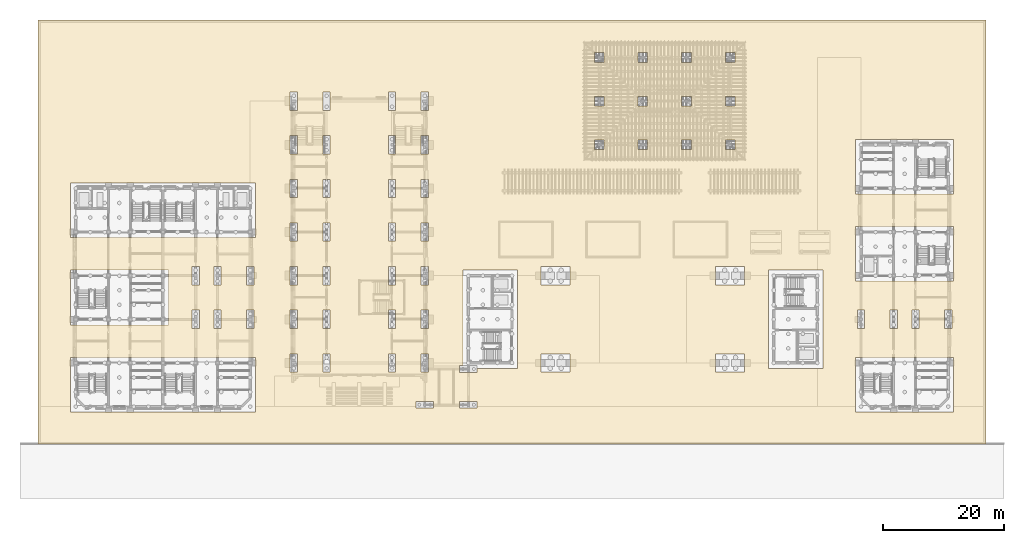
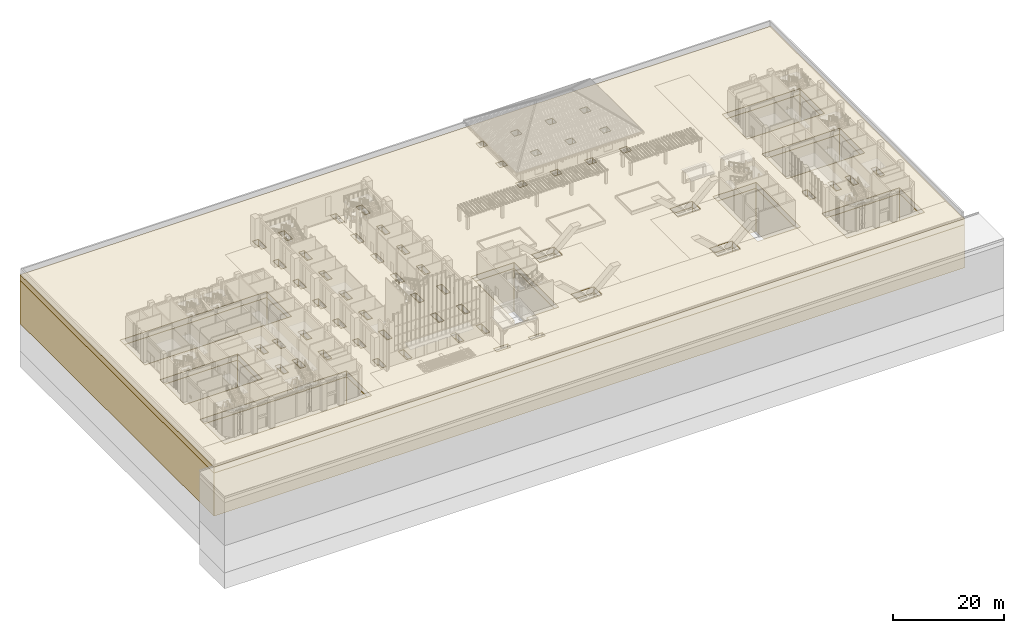
# One storey, part 75 of 84: 2 coverings.
"""IFC4 building model written with IfcOpenShell, lengths in metres."""

from ifc_helpers import new_model, si_unit, direction, frame, origin, place, context, subcontext, project, spatial, polyline, outline, extrude, material, layer, layer_set, type_object, element, save


model = new_model("IFC4")

# Units and contexts
model_context = context("Model", 3, precision=1e-05, world=origin(), true_north=direction((0.0, 1.0)))
body_context = subcontext(model_context, "Body", "Model", "MODEL_VIEW")
ifc_project = project(units=[si_unit("LENGTHUNIT", "METRE"), si_unit("AREAUNIT", "SQUARE_METRE"), si_unit("VOLUMEUNIT", "CUBIC_METRE"), si_unit("PLANEANGLEUNIT", "RADIAN"), si_unit("MASSUNIT", "GRAM", prefix="KILO")], contexts=[model_context])

# Site, building, storey
site_placement = place(None, origin())
site = spatial("IfcSite", under=ifc_project, at=site_placement, CompositionType="ELEMENT")
building_placement = place(site_placement, origin())
building = spatial("IfcBuilding", under=site, at=building_placement, Name="Mazhai Court Health Centre", CompositionType="ELEMENT")
storey_placement = place(building_placement, origin())
storey = spatial("IfcBuildingStorey", under=building, at=storey_placement, Name="L00", CompositionType="ELEMENT", Elevation=0.0)

# Coverings
ifc_material_1 = material(Name="Compacted earth fill")
ifc_layer_1 = layer(ifc_material_1, 1.300048828125)
ifc_layer_set_1 = layer_set([ifc_layer_1], Name="SITE GROUND COMPACTED EARTH FILL")
covering_type_1 = type_object("IfcCoveringType", Name="SITE GROUND COMPACTED EARTH FILL", PredefinedType="FLOORING", material=ifc_layer_set_1)
covering_1_placement = place(storey_placement, frame((0.0, 0.0, -1.5)))
element("IfcCovering", 1, at=covering_1_placement, inside=storey, type_object=covering_type_1, Name="Site soil 1", PredefinedType="FLOORING", context=body_context, shape_type="SweptSolid", body=[
    extrude(outline(polyline([(156.39990234375, 70.0), (156.39990234375, 0.0), (0.0, 0.0), (0.0, 70.0), (156.39990234375, 70.0)]), holes=[polyline([(5.300048828125, 5.300048828125), (35.89990234375, 5.300048828125), (35.89990234375, 14.300048828125), (5.300048828125, 14.300048828125), (5.300048828125, 5.300048828125)]), polyline([(29.0, 22.10009765625), (29.0, 19.10009765625), (30.199951171875, 19.10009765625), (30.199951171875, 22.10009765625), (29.0, 22.10009765625)]), polyline([(25.39990234375, 22.10009765625), (25.39990234375, 19.10009765625), (26.60009765625, 19.10009765625), (26.60009765625, 22.10009765625), (25.39990234375, 22.10009765625)]), polyline([(5.300048828125, 28.699951171875), (5.300048828125, 19.699951171875), (21.5, 19.699951171875), (21.5, 28.699951171875), (5.300048828125, 28.699951171875)]), polyline([(29.0, 29.300048828125), (29.0, 26.300048828125), (30.199951171875, 26.300048828125), (30.199951171875, 29.300048828125), (29.0, 29.300048828125)]), polyline([(25.39990234375, 26.300048828125), (26.60009765625, 26.300048828125), (26.60009765625, 29.300048828125), (25.39990234375, 29.300048828125), (25.39990234375, 26.300048828125)]), polyline([(5.300048828125, 34.10009765625), (35.89990234375, 34.10009765625), (35.89990234375, 43.10009765625), (5.300048828125, 43.10009765625), (5.300048828125, 34.10009765625)]), polyline([(57.800048828125, 14.89990234375), (57.800048828125, 11.89990234375), (59.0, 11.89990234375), (59.0, 14.89990234375), (57.800048828125, 14.89990234375)]), polyline([(47.0, 11.89990234375), (48.199951171875, 11.89990234375), (48.199951171875, 14.89990234375), (47.0, 14.89990234375), (47.0, 11.89990234375)]), polyline([(41.60009765625, 14.89990234375), (41.60009765625, 11.89990234375), (42.800048828125, 11.89990234375), (42.800048828125, 14.89990234375), (41.60009765625, 14.89990234375)]), polyline([(34.39990234375, 22.10009765625), (34.39990234375, 19.10009765625), (35.60009765625, 19.10009765625), (35.60009765625, 22.10009765625), (34.39990234375, 22.10009765625)]), polyline([(57.800048828125, 19.10009765625), (59.0, 19.10009765625), (59.0, 22.10009765625), (57.800048828125, 22.10009765625), (57.800048828125, 19.10009765625)]), polyline([(47.0, 22.10009765625), (47.0, 19.10009765625), (48.199951171875, 19.10009765625), (48.199951171875, 22.10009765625), (47.0, 22.10009765625)]), polyline([(41.60009765625, 22.10009765625), (41.60009765625, 19.10009765625), (42.800048828125, 19.10009765625), (42.800048828125, 22.10009765625), (41.60009765625, 22.10009765625)]), polyline([(41.60009765625, 29.300048828125), (41.60009765625, 26.300048828125), (42.800048828125, 26.300048828125), (42.800048828125, 29.300048828125), (41.60009765625, 29.300048828125)]), polyline([(47.0, 29.300048828125), (47.0, 26.300048828125), (48.199951171875, 26.300048828125), (48.199951171875, 29.300048828125), (47.0, 29.300048828125)]), polyline([(34.39990234375, 29.300048828125), (34.39990234375, 26.300048828125), (35.60009765625, 26.300048828125), (35.60009765625, 29.300048828125), (34.39990234375, 29.300048828125)]), polyline([(57.800048828125, 29.300048828125), (57.800048828125, 26.300048828125), (59.0, 26.300048828125), (59.0, 29.300048828125), (57.800048828125, 29.300048828125)]), polyline([(41.60009765625, 33.5), (42.800048828125, 33.5), (42.800048828125, 36.5), (41.60009765625, 36.5), (41.60009765625, 33.5)]), polyline([(47.0, 33.5), (48.199951171875, 33.5), (48.199951171875, 36.5), (47.0, 36.5), (47.0, 33.5)]), polyline([(57.800048828125, 36.5), (57.800048828125, 33.5), (59.0, 33.5), (59.0, 36.5), (57.800048828125, 36.5)]), polyline([(41.60009765625, 43.699951171875), (41.60009765625, 40.699951171875), (42.800048828125, 40.699951171875), (42.800048828125, 43.699951171875), (41.60009765625, 43.699951171875)]), polyline([(47.0, 40.699951171875), (48.199951171875, 40.699951171875), (48.199951171875, 43.699951171875), (47.0, 43.699951171875), (47.0, 40.699951171875)]), polyline([(57.800048828125, 43.699951171875), (57.800048828125, 40.699951171875), (59.0, 40.699951171875), (59.0, 43.699951171875), (57.800048828125, 43.699951171875)]), polyline([(41.60009765625, 50.89990234375), (41.60009765625, 47.89990234375), (42.800048828125, 47.89990234375), (42.800048828125, 50.89990234375), (41.60009765625, 50.89990234375)]), polyline([(57.800048828125, 50.89990234375), (57.800048828125, 47.89990234375), (59.0, 47.89990234375), (59.0, 50.89990234375), (57.800048828125, 50.89990234375)]), polyline([(47.0, 50.89990234375), (47.0, 47.89990234375), (48.199951171875, 47.89990234375), (48.199951171875, 50.89990234375), (47.0, 50.89990234375)]), polyline([(57.800048828125, 58.10009765625), (57.800048828125, 55.10009765625), (59.0, 55.10009765625), (59.0, 58.10009765625), (57.800048828125, 58.10009765625)]), polyline([(47.0, 58.10009765625), (47.0, 55.10009765625), (48.199951171875, 55.10009765625), (48.199951171875, 58.10009765625), (47.0, 58.10009765625)]), polyline([(41.60009765625, 55.10009765625), (42.800048828125, 55.10009765625), (42.800048828125, 58.10009765625), (41.60009765625, 58.10009765625), (41.60009765625, 55.10009765625)]), polyline([(62.35009765625, 7.050048828125), (62.35009765625, 5.949951171875), (65.25, 5.949951171875), (65.25, 7.050048828125), (62.35009765625, 7.050048828125)]), polyline([(69.550048828125, 7.050048828125), (69.550048828125, 5.949951171875), (72.449951171875, 5.949951171875), (72.449951171875, 7.050048828125), (69.550048828125, 7.050048828125)]), polyline([(79.10009765625, 28.699951171875), (70.10009765625, 28.699951171875), (70.10009765625, 12.949951171875), (69.550048828125, 12.949951171875), (69.550048828125, 11.85009765625), (72.449951171875, 11.85009765625), (72.449951171875, 12.5), (79.10009765625, 12.5), (79.10009765625, 28.699951171875)]), polyline([(63.199951171875, 14.89990234375), (63.199951171875, 11.89990234375), (64.39990234375, 11.89990234375), (64.39990234375, 14.89990234375), (63.199951171875, 14.89990234375)]), polyline([(111.800048828125, 14.89990234375), (111.800048828125, 11.89990234375), (116.60009765625, 11.89990234375), (116.60009765625, 14.89990234375), (111.800048828125, 14.89990234375)]), polyline([(83.0, 11.89990234375), (87.800048828125, 11.89990234375), (87.800048828125, 14.89990234375), (83.0, 14.89990234375), (83.0, 11.89990234375)]), polyline([(63.199951171875, 22.10009765625), (63.199951171875, 19.10009765625), (64.39990234375, 19.10009765625), (64.39990234375, 22.10009765625), (63.199951171875, 22.10009765625)]), polyline([(63.199951171875, 29.300048828125), (63.199951171875, 26.300048828125), (64.39990234375, 26.300048828125), (64.39990234375, 29.300048828125), (63.199951171875, 29.300048828125)]), polyline([(111.800048828125, 29.300048828125), (111.800048828125, 26.300048828125), (116.60009765625, 26.300048828125), (116.60009765625, 29.300048828125), (111.800048828125, 29.300048828125)]), polyline([(83.0, 29.300048828125), (83.0, 26.300048828125), (87.800048828125, 26.300048828125), (87.800048828125, 29.300048828125), (83.0, 29.300048828125)]), polyline([(63.199951171875, 36.5), (63.199951171875, 33.5), (64.39990234375, 33.5), (64.39990234375, 36.5), (63.199951171875, 36.5)]), polyline([(63.199951171875, 40.699951171875), (64.39990234375, 40.699951171875), (64.39990234375, 43.699951171875), (63.199951171875, 43.699951171875), (63.199951171875, 40.699951171875)]), polyline([(91.800048828125, 50.199951171875), (91.800048828125, 48.60009765625), (93.39990234375, 48.60009765625), (93.39990234375, 50.199951171875), (91.800048828125, 50.199951171875)]), polyline([(99.0, 50.199951171875), (99.0, 48.60009765625), (100.60009765625, 48.60009765625), (100.60009765625, 50.199951171875), (99.0, 50.199951171875)]), polyline([(106.199951171875, 48.60009765625), (107.800048828125, 48.60009765625), (107.800048828125, 50.199951171875), (106.199951171875, 50.199951171875), (106.199951171875, 48.60009765625)]), polyline([(113.39990234375, 50.199951171875), (113.39990234375, 48.60009765625), (115.0, 48.60009765625), (115.0, 50.199951171875), (113.39990234375, 50.199951171875)]), polyline([(63.199951171875, 50.89990234375), (63.199951171875, 47.89990234375), (64.39990234375, 47.89990234375), (64.39990234375, 50.89990234375), (63.199951171875, 50.89990234375)]), polyline([(91.800048828125, 55.800048828125), (93.39990234375, 55.800048828125), (93.39990234375, 57.39990234375), (91.800048828125, 57.39990234375), (91.800048828125, 55.800048828125)]), polyline([(99.0, 57.39990234375), (99.0, 55.800048828125), (100.60009765625, 55.800048828125), (100.60009765625, 57.39990234375), (99.0, 57.39990234375)]), polyline([(106.199951171875, 57.39990234375), (106.199951171875, 55.800048828125), (107.800048828125, 55.800048828125), (107.800048828125, 57.39990234375), (106.199951171875, 57.39990234375)]), polyline([(113.39990234375, 57.39990234375), (113.39990234375, 55.800048828125), (115.0, 55.800048828125), (115.0, 57.39990234375), (113.39990234375, 57.39990234375)]), polyline([(63.199951171875, 58.10009765625), (63.199951171875, 55.10009765625), (64.39990234375, 55.10009765625), (64.39990234375, 58.10009765625), (63.199951171875, 58.10009765625)]), polyline([(91.800048828125, 64.60009765625), (91.800048828125, 63.0), (93.39990234375, 63.0), (93.39990234375, 64.60009765625), (91.800048828125, 64.60009765625)]), polyline([(99.0, 64.60009765625), (99.0, 63.0), (100.60009765625, 63.0), (100.60009765625, 64.60009765625), (99.0, 64.60009765625)]), polyline([(106.199951171875, 63.0), (107.800048828125, 63.0), (107.800048828125, 64.60009765625), (106.199951171875, 64.60009765625), (106.199951171875, 63.0)]), polyline([(134.89990234375, 14.300048828125), (134.89990234375, 5.300048828125), (151.10009765625, 5.300048828125), (151.10009765625, 14.300048828125), (134.89990234375, 14.300048828125)]), polyline([(129.5, 12.5), (129.5, 28.699951171875), (120.5, 28.699951171875), (120.5, 12.5), (129.5, 12.5)]), polyline([(135.199951171875, 22.10009765625), (135.199951171875, 19.10009765625), (136.39990234375, 19.10009765625), (136.39990234375, 22.10009765625), (135.199951171875, 22.10009765625)]), polyline([(149.60009765625, 22.10009765625), (149.60009765625, 19.10009765625), (150.800048828125, 19.10009765625), (150.800048828125, 22.10009765625), (149.60009765625, 22.10009765625)]), polyline([(140.60009765625, 22.10009765625), (140.60009765625, 19.10009765625), (141.800048828125, 19.10009765625), (141.800048828125, 22.10009765625), (140.60009765625, 22.10009765625)]), polyline([(144.199951171875, 22.10009765625), (144.199951171875, 19.10009765625), (145.39990234375, 19.10009765625), (145.39990234375, 22.10009765625), (144.199951171875, 22.10009765625)]), polyline([(134.89990234375, 35.89990234375), (134.89990234375, 26.89990234375), (151.10009765625, 26.89990234375), (151.10009765625, 35.89990234375), (134.89990234375, 35.89990234375)]), polyline([(134.89990234375, 50.300048828125), (134.89990234375, 41.300048828125), (151.10009765625, 41.300048828125), (151.10009765625, 50.300048828125), (134.89990234375, 50.300048828125)]), polyline([(113.39990234375, 64.60009765625), (113.39990234375, 63.0), (115.0, 63.0), (115.0, 64.60009765625), (113.39990234375, 64.60009765625)])]), origin(), (0.0, 0.0, 1.0), 1.300048828125),
])
ifc_material_2 = material(Name="Soft marine clay")
ifc_layer_2 = layer(ifc_material_2, 9.5)
ifc_layer_set_2 = layer_set([ifc_layer_2], Name="SITE GROUND SOFT MARINE CLAY")
covering_type_2 = type_object("IfcCoveringType", Name="SITE GROUND SOFT MARINE CLAY", PredefinedType="FLOORING", material=ifc_layer_set_2)
covering_2_placement = place(storey_placement, frame((0.0, 0.0, -11.0)))
element("IfcCovering", 2, at=covering_2_placement, inside=storey, type_object=covering_type_2, Name="Site soft clay 1", PredefinedType="FLOORING", context=body_context, shape_type="SweptSolid", body=[
    extrude(outline(polyline([(156.39990234375, 70.0), (156.39990234375, 0.0), (0.0, 0.0), (0.0, 70.0), (156.39990234375, 70.0)]), holes=[polyline([(5.300048828125, 5.300048828125), (35.89990234375, 5.300048828125), (35.89990234375, 14.300048828125), (5.300048828125, 14.300048828125), (5.300048828125, 5.300048828125)]), polyline([(29.0, 22.10009765625), (29.0, 19.10009765625), (30.199951171875, 19.10009765625), (30.199951171875, 22.10009765625), (29.0, 22.10009765625)]), polyline([(25.39990234375, 22.10009765625), (25.39990234375, 19.10009765625), (26.60009765625, 19.10009765625), (26.60009765625, 22.10009765625), (25.39990234375, 22.10009765625)]), polyline([(5.300048828125, 28.699951171875), (5.300048828125, 19.699951171875), (21.5, 19.699951171875), (21.5, 28.699951171875), (5.300048828125, 28.699951171875)]), polyline([(29.0, 29.300048828125), (29.0, 26.300048828125), (30.199951171875, 26.300048828125), (30.199951171875, 29.300048828125), (29.0, 29.300048828125)]), polyline([(25.39990234375, 26.300048828125), (26.60009765625, 26.300048828125), (26.60009765625, 29.300048828125), (25.39990234375, 29.300048828125), (25.39990234375, 26.300048828125)]), polyline([(5.300048828125, 34.10009765625), (35.89990234375, 34.10009765625), (35.89990234375, 43.10009765625), (5.300048828125, 43.10009765625), (5.300048828125, 34.10009765625)]), polyline([(57.800048828125, 14.89990234375), (57.800048828125, 11.89990234375), (59.0, 11.89990234375), (59.0, 14.89990234375), (57.800048828125, 14.89990234375)]), polyline([(47.0, 11.89990234375), (48.199951171875, 11.89990234375), (48.199951171875, 14.89990234375), (47.0, 14.89990234375), (47.0, 11.89990234375)]), polyline([(41.60009765625, 14.89990234375), (41.60009765625, 11.89990234375), (42.800048828125, 11.89990234375), (42.800048828125, 14.89990234375), (41.60009765625, 14.89990234375)]), polyline([(34.39990234375, 22.10009765625), (34.39990234375, 19.10009765625), (35.60009765625, 19.10009765625), (35.60009765625, 22.10009765625), (34.39990234375, 22.10009765625)]), polyline([(57.800048828125, 19.10009765625), (59.0, 19.10009765625), (59.0, 22.10009765625), (57.800048828125, 22.10009765625), (57.800048828125, 19.10009765625)]), polyline([(47.0, 22.10009765625), (47.0, 19.10009765625), (48.199951171875, 19.10009765625), (48.199951171875, 22.10009765625), (47.0, 22.10009765625)]), polyline([(41.60009765625, 22.10009765625), (41.60009765625, 19.10009765625), (42.800048828125, 19.10009765625), (42.800048828125, 22.10009765625), (41.60009765625, 22.10009765625)]), polyline([(41.60009765625, 29.300048828125), (41.60009765625, 26.300048828125), (42.800048828125, 26.300048828125), (42.800048828125, 29.300048828125), (41.60009765625, 29.300048828125)]), polyline([(47.0, 29.300048828125), (47.0, 26.300048828125), (48.199951171875, 26.300048828125), (48.199951171875, 29.300048828125), (47.0, 29.300048828125)]), polyline([(34.39990234375, 29.300048828125), (34.39990234375, 26.300048828125), (35.60009765625, 26.300048828125), (35.60009765625, 29.300048828125), (34.39990234375, 29.300048828125)]), polyline([(57.800048828125, 29.300048828125), (57.800048828125, 26.300048828125), (59.0, 26.300048828125), (59.0, 29.300048828125), (57.800048828125, 29.300048828125)]), polyline([(41.60009765625, 33.5), (42.800048828125, 33.5), (42.800048828125, 36.5), (41.60009765625, 36.5), (41.60009765625, 33.5)]), polyline([(47.0, 33.5), (48.199951171875, 33.5), (48.199951171875, 36.5), (47.0, 36.5), (47.0, 33.5)]), polyline([(57.800048828125, 36.5), (57.800048828125, 33.5), (59.0, 33.5), (59.0, 36.5), (57.800048828125, 36.5)]), polyline([(41.60009765625, 43.699951171875), (41.60009765625, 40.699951171875), (42.800048828125, 40.699951171875), (42.800048828125, 43.699951171875), (41.60009765625, 43.699951171875)]), polyline([(47.0, 40.699951171875), (48.199951171875, 40.699951171875), (48.199951171875, 43.699951171875), (47.0, 43.699951171875), (47.0, 40.699951171875)]), polyline([(57.800048828125, 43.699951171875), (57.800048828125, 40.699951171875), (59.0, 40.699951171875), (59.0, 43.699951171875), (57.800048828125, 43.699951171875)]), polyline([(41.60009765625, 50.89990234375), (41.60009765625, 47.89990234375), (42.800048828125, 47.89990234375), (42.800048828125, 50.89990234375), (41.60009765625, 50.89990234375)]), polyline([(57.800048828125, 50.89990234375), (57.800048828125, 47.89990234375), (59.0, 47.89990234375), (59.0, 50.89990234375), (57.800048828125, 50.89990234375)]), polyline([(47.0, 50.89990234375), (47.0, 47.89990234375), (48.199951171875, 47.89990234375), (48.199951171875, 50.89990234375), (47.0, 50.89990234375)]), polyline([(57.800048828125, 58.10009765625), (57.800048828125, 55.10009765625), (59.0, 55.10009765625), (59.0, 58.10009765625), (57.800048828125, 58.10009765625)]), polyline([(47.0, 58.10009765625), (47.0, 55.10009765625), (48.199951171875, 55.10009765625), (48.199951171875, 58.10009765625), (47.0, 58.10009765625)]), polyline([(41.60009765625, 55.10009765625), (42.800048828125, 55.10009765625), (42.800048828125, 58.10009765625), (41.60009765625, 58.10009765625), (41.60009765625, 55.10009765625)]), polyline([(62.35009765625, 7.050048828125), (62.35009765625, 5.949951171875), (65.25, 5.949951171875), (65.25, 7.050048828125), (62.35009765625, 7.050048828125)]), polyline([(69.550048828125, 7.050048828125), (69.550048828125, 5.949951171875), (72.449951171875, 5.949951171875), (72.449951171875, 7.050048828125), (69.550048828125, 7.050048828125)]), polyline([(79.10009765625, 28.699951171875), (70.10009765625, 28.699951171875), (70.10009765625, 12.949951171875), (69.550048828125, 12.949951171875), (69.550048828125, 11.85009765625), (72.449951171875, 11.85009765625), (72.449951171875, 12.5), (79.10009765625, 12.5), (79.10009765625, 28.699951171875)]), polyline([(63.199951171875, 14.89990234375), (63.199951171875, 11.89990234375), (64.39990234375, 11.89990234375), (64.39990234375, 14.89990234375), (63.199951171875, 14.89990234375)]), polyline([(111.800048828125, 14.89990234375), (111.800048828125, 11.89990234375), (116.60009765625, 11.89990234375), (116.60009765625, 14.89990234375), (111.800048828125, 14.89990234375)]), polyline([(83.0, 11.89990234375), (87.800048828125, 11.89990234375), (87.800048828125, 14.89990234375), (83.0, 14.89990234375), (83.0, 11.89990234375)]), polyline([(63.199951171875, 22.10009765625), (63.199951171875, 19.10009765625), (64.39990234375, 19.10009765625), (64.39990234375, 22.10009765625), (63.199951171875, 22.10009765625)]), polyline([(63.199951171875, 29.300048828125), (63.199951171875, 26.300048828125), (64.39990234375, 26.300048828125), (64.39990234375, 29.300048828125), (63.199951171875, 29.300048828125)]), polyline([(111.800048828125, 29.300048828125), (111.800048828125, 26.300048828125), (116.60009765625, 26.300048828125), (116.60009765625, 29.300048828125), (111.800048828125, 29.300048828125)]), polyline([(83.0, 29.300048828125), (83.0, 26.300048828125), (87.800048828125, 26.300048828125), (87.800048828125, 29.300048828125), (83.0, 29.300048828125)]), polyline([(63.199951171875, 36.5), (63.199951171875, 33.5), (64.39990234375, 33.5), (64.39990234375, 36.5), (63.199951171875, 36.5)]), polyline([(63.199951171875, 40.699951171875), (64.39990234375, 40.699951171875), (64.39990234375, 43.699951171875), (63.199951171875, 43.699951171875), (63.199951171875, 40.699951171875)]), polyline([(91.800048828125, 50.199951171875), (91.800048828125, 48.60009765625), (93.39990234375, 48.60009765625), (93.39990234375, 50.199951171875), (91.800048828125, 50.199951171875)]), polyline([(99.0, 50.199951171875), (99.0, 48.60009765625), (100.60009765625, 48.60009765625), (100.60009765625, 50.199951171875), (99.0, 50.199951171875)]), polyline([(106.199951171875, 48.60009765625), (107.800048828125, 48.60009765625), (107.800048828125, 50.199951171875), (106.199951171875, 50.199951171875), (106.199951171875, 48.60009765625)]), polyline([(113.39990234375, 50.199951171875), (113.39990234375, 48.60009765625), (115.0, 48.60009765625), (115.0, 50.199951171875), (113.39990234375, 50.199951171875)]), polyline([(63.199951171875, 50.89990234375), (63.199951171875, 47.89990234375), (64.39990234375, 47.89990234375), (64.39990234375, 50.89990234375), (63.199951171875, 50.89990234375)]), polyline([(91.800048828125, 55.800048828125), (93.39990234375, 55.800048828125), (93.39990234375, 57.39990234375), (91.800048828125, 57.39990234375), (91.800048828125, 55.800048828125)]), polyline([(99.0, 57.39990234375), (99.0, 55.800048828125), (100.60009765625, 55.800048828125), (100.60009765625, 57.39990234375), (99.0, 57.39990234375)]), polyline([(106.199951171875, 57.39990234375), (106.199951171875, 55.800048828125), (107.800048828125, 55.800048828125), (107.800048828125, 57.39990234375), (106.199951171875, 57.39990234375)]), polyline([(113.39990234375, 57.39990234375), (113.39990234375, 55.800048828125), (115.0, 55.800048828125), (115.0, 57.39990234375), (113.39990234375, 57.39990234375)]), polyline([(63.199951171875, 58.10009765625), (63.199951171875, 55.10009765625), (64.39990234375, 55.10009765625), (64.39990234375, 58.10009765625), (63.199951171875, 58.10009765625)]), polyline([(91.800048828125, 64.60009765625), (91.800048828125, 63.0), (93.39990234375, 63.0), (93.39990234375, 64.60009765625), (91.800048828125, 64.60009765625)]), polyline([(99.0, 64.60009765625), (99.0, 63.0), (100.60009765625, 63.0), (100.60009765625, 64.60009765625), (99.0, 64.60009765625)]), polyline([(106.199951171875, 63.0), (107.800048828125, 63.0), (107.800048828125, 64.60009765625), (106.199951171875, 64.60009765625), (106.199951171875, 63.0)]), polyline([(134.89990234375, 14.300048828125), (134.89990234375, 5.300048828125), (151.10009765625, 5.300048828125), (151.10009765625, 14.300048828125), (134.89990234375, 14.300048828125)]), polyline([(129.5, 12.5), (129.5, 28.699951171875), (120.5, 28.699951171875), (120.5, 12.5), (129.5, 12.5)]), polyline([(135.199951171875, 22.10009765625), (135.199951171875, 19.10009765625), (136.39990234375, 19.10009765625), (136.39990234375, 22.10009765625), (135.199951171875, 22.10009765625)]), polyline([(149.60009765625, 22.10009765625), (149.60009765625, 19.10009765625), (150.800048828125, 19.10009765625), (150.800048828125, 22.10009765625), (149.60009765625, 22.10009765625)]), polyline([(140.60009765625, 22.10009765625), (140.60009765625, 19.10009765625), (141.800048828125, 19.10009765625), (141.800048828125, 22.10009765625), (140.60009765625, 22.10009765625)]), polyline([(144.199951171875, 22.10009765625), (144.199951171875, 19.10009765625), (145.39990234375, 19.10009765625), (145.39990234375, 22.10009765625), (144.199951171875, 22.10009765625)]), polyline([(134.89990234375, 35.89990234375), (134.89990234375, 26.89990234375), (151.10009765625, 26.89990234375), (151.10009765625, 35.89990234375), (134.89990234375, 35.89990234375)]), polyline([(134.89990234375, 50.300048828125), (134.89990234375, 41.300048828125), (151.10009765625, 41.300048828125), (151.10009765625, 50.300048828125), (134.89990234375, 50.300048828125)]), polyline([(113.39990234375, 64.60009765625), (113.39990234375, 63.0), (115.0, 63.0), (115.0, 64.60009765625), (113.39990234375, 64.60009765625)])]), origin(), (0.0, 0.0, 1.0), 9.5),
])

save(model, "model.ifc")
